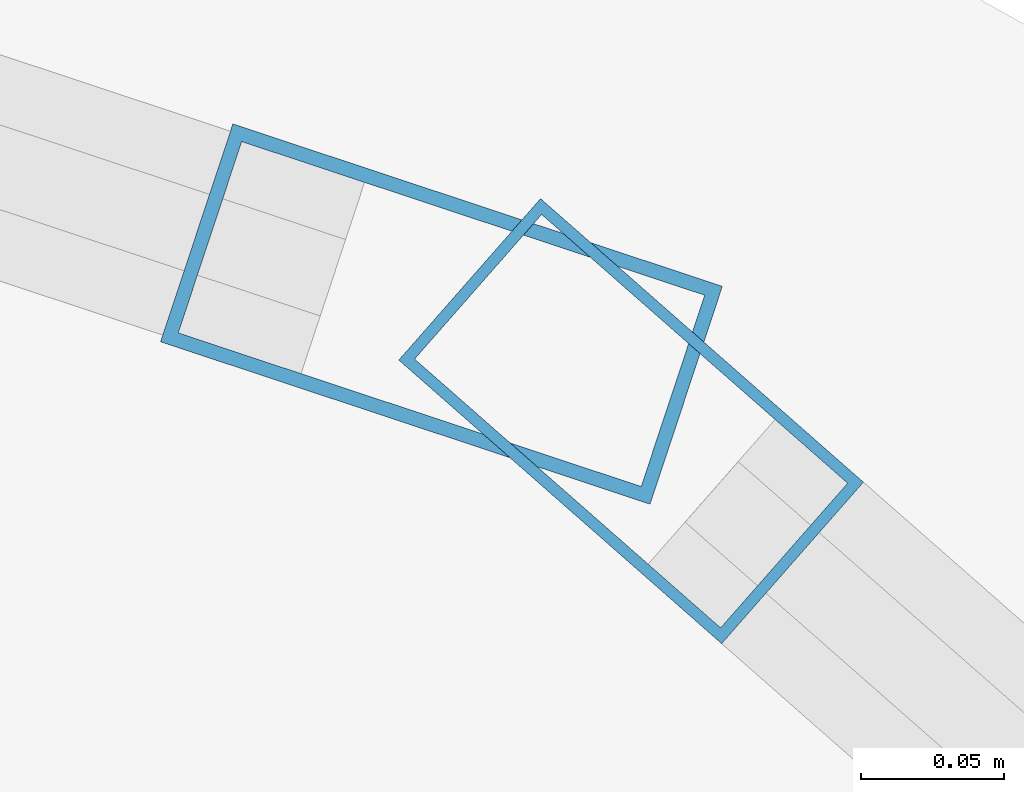
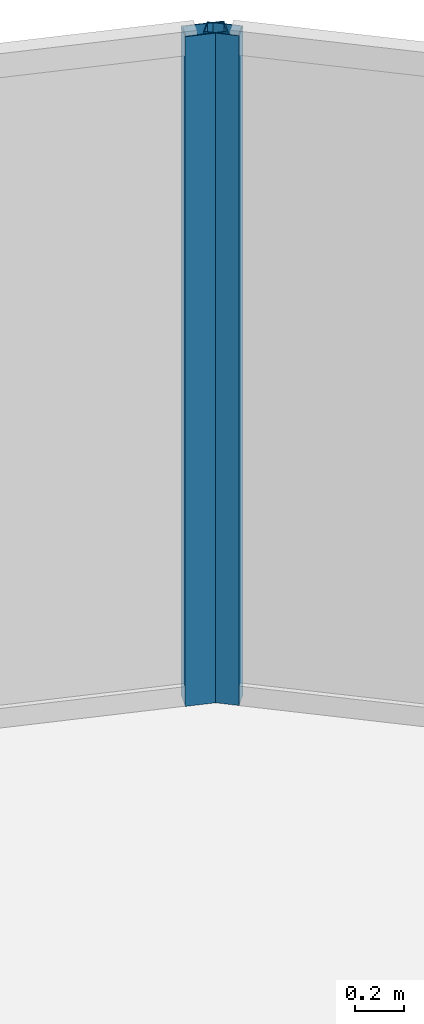
# One storey, part 21 of 34: 2 members, 2 elements without a shape of their own.
"""IFC4 building model written with IfcOpenShell, lengths in metres."""

from ifc_helpers import new_model, si_unit, direction, frame, origin, origin_2d, place, context, subcontext, project, spatial, hollow_rectangle, extrude, material, layer, layer_set, material_profile, profile_set, type_object, element, aggregate, save


model = new_model("IFC4")

# Units and contexts
model_context = context("Model", 3, precision=1e-05, world=origin(), true_north=direction((0.0, 1.0)))
body_context = subcontext(model_context, "Body", "Model", "MODEL_VIEW")
ifc_project = project(units=[si_unit("LENGTHUNIT", "METRE"), si_unit("AREAUNIT", "SQUARE_METRE"), si_unit("VOLUMEUNIT", "CUBIC_METRE"), si_unit("PLANEANGLEUNIT", "RADIAN"), si_unit("MASSUNIT", "GRAM", prefix="KILO")], contexts=[model_context])

# Site, building, storey
site_placement = place(None, origin())
site = spatial("IfcSite", under=ifc_project, at=site_placement, CompositionType="ELEMENT")
building_placement = place(site_placement, origin())
building = spatial("IfcBuilding", under=site, at=building_placement, Name="Kazevale Care Tower and Concert Hall", CompositionType="ELEMENT")
storey_placement = place(building_placement, frame((0.0, 0.0, 156.60009765625)))
storey = spatial("IfcBuildingStorey", under=building, at=storey_placement, Name="L41", CompositionType="ELEMENT", Elevation=156.60009765625)

# Curtain wall, member
ifc_material_1 = material(Name="Aluminium 6063-T6 and Low-E Glass", Category="aluminium")
ifc_layer_1 = layer(ifc_material_1, 0.179931640625)
ifc_layer_set_1 = layer_set([ifc_layer_1], Name="Aluminium 6063-T6 and Low-E Glass")
curtain_wall_type_1 = type_object("IfcCurtainWallType", Name="Convex Checkerboard Finned Curtain Wall CW-2", PredefinedType="NOTDEFINED", material=ifc_layer_set_1)
curtain_wall_1_placement = place(storey_placement, origin())
curtain_wall_1 = element("IfcCurtainWall", 1, at=curtain_wall_1_placement, inside=storey, type_object=curtain_wall_type_1, Name="cw:L41:f16", PredefinedType="NOTDEFINED")
ifc_material_2 = material(Name="Aluminium 6063-T6", Category="aluminium")
ifc_material_profile_1 = material_profile(ifc_material_2, hollow_rectangle(XDim=0.080078125, YDim=0.179931640625, WallThickness=0.0048828125, at=origin_2d()), Name="ALU80x180x5")
ifc_profile_set_1 = profile_set([ifc_material_profile_1], Name="Aluminium 6063-T6")
member_type_1 = type_object("IfcMemberType", Name="CW-2 Mullion ALU80x180x5", PredefinedType="MULLION", material=ifc_profile_set_1)
member_1_placement = place(storey_placement, frame((63.14501953125, 60.734619140625, 0.0), z_axis=(0.0, 0.0, 1.0), x_axis=(0.314868185785, 0.949135409507, 0.0)))
member_1 = element("IfcMember", 2, at=member_1_placement, type_object=member_type_1, Name="CW-2 mullion 2", PredefinedType="MULLION", context=body_context, shape_type="SweptSolid", body=[
    extrude(hollow_rectangle(XDim=0.080078125, YDim=0.179931640625, WallThickness=0.0048828125, at=origin_2d()), origin(), (0.0, 0.0, 1.0), 3.35986328125),
])
aggregate(curtain_wall_1, [member_1])

ifc_layer_2 = layer(ifc_material_1, 0.179931640625)
ifc_layer_set_2 = layer_set([ifc_layer_2], Name="Aluminium 6063-T6 and Low-E Glass")
curtain_wall_type_2 = type_object("IfcCurtainWallType", Name="Convex Recessed Sunroom Curtain Wall CW-3", PredefinedType="NOTDEFINED", material=ifc_layer_set_2)
curtain_wall_2_placement = place(storey_placement, origin())
curtain_wall_2 = element("IfcCurtainWall", 3, at=curtain_wall_2_placement, inside=storey, type_object=curtain_wall_type_2, Name="cw:L41:f17", PredefinedType="NOTDEFINED")
ifc_material_profile_2 = material_profile(ifc_material_2, hollow_rectangle(XDim=0.074951171875, YDim=0.14990234375, WallThickness=0.00390625, at=origin_2d()), Name="ALU75x150x4")
ifc_profile_set_2 = profile_set([ifc_material_profile_2], Name="Aluminium 6063-T6")
member_type_2 = type_object("IfcMemberType", Name="CW-3 Mullion ALU75x150x4", PredefinedType="MULLION", material=ifc_profile_set_2)
member_2_placement = place(storey_placement, frame((63.211181640625, 60.697265625, 0.0), z_axis=(0.0, 0.0, 1.0), x_axis=(0.659891732197, 0.751360700182, 0.0)))
member_2 = element("IfcMember", 4, at=member_2_placement, type_object=member_type_2, Name="CW-3 mullion 1", PredefinedType="MULLION", context=body_context, shape_type="SweptSolid", body=[
    extrude(hollow_rectangle(XDim=0.074951171875, YDim=0.14990234375, WallThickness=0.00390625, at=origin_2d()), origin(), (0.0, 0.0, 1.0), 3.35986328125),
])
aggregate(curtain_wall_2, [member_2])

save(model, "model.ifc")
